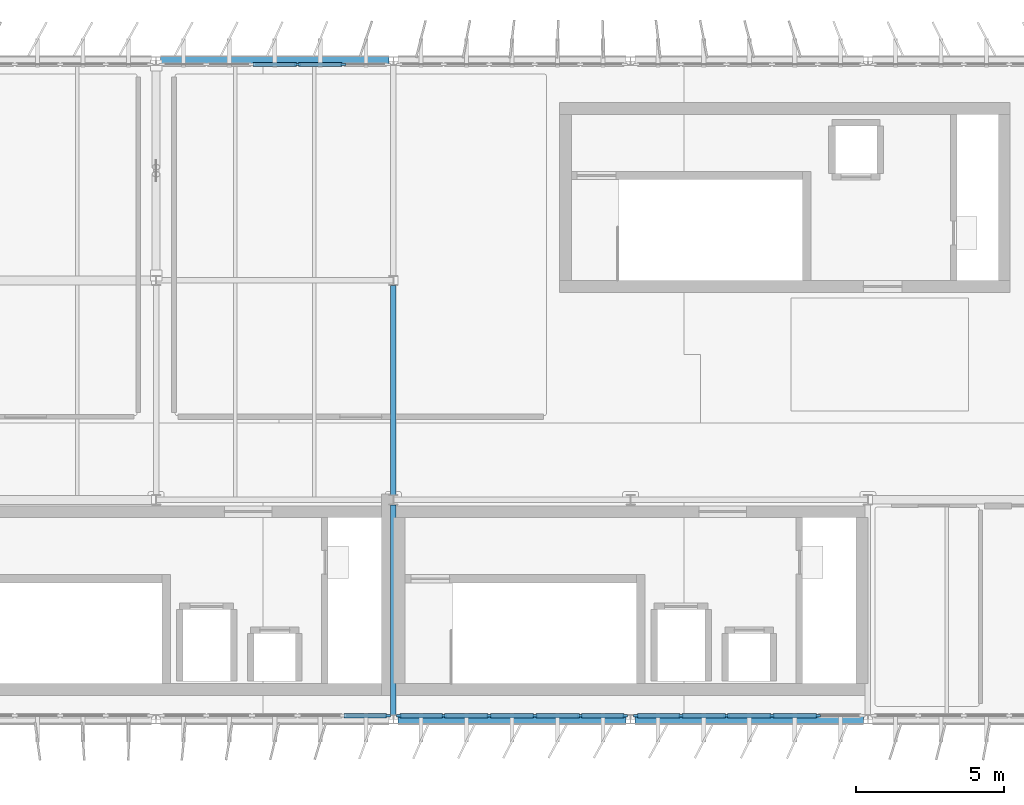
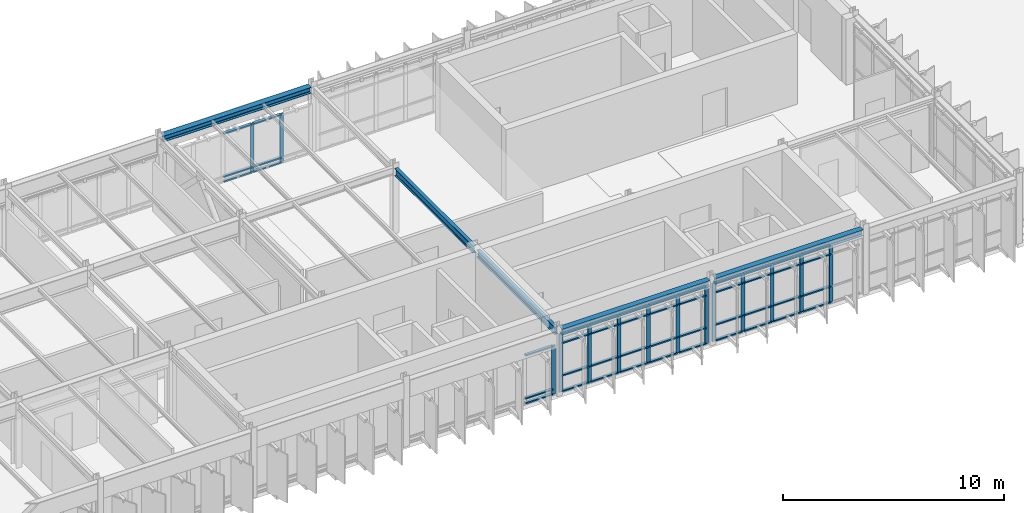
# One storey, part 7 of 20: 59 members, 5 beams, 4 elements without a shape of their own.
"""IFC4 building model written with IfcOpenShell, lengths in metres."""

from ifc_helpers import new_model, si_unit, direction, frame, origin, origin_2d, place, context, subcontext, project, spatial, rectangle, i_section, extrude, material, layer, layer_set, material_profile, profile_set, type_object, element, aggregate, save


model = new_model("IFC4")

# Units and contexts
model_context = context("Model", 3, precision=1e-05, world=origin(), true_north=direction((0.0, 1.0)))
body_context = subcontext(model_context, "Body", "Model", "MODEL_VIEW")
ifc_project = project(units=[si_unit("LENGTHUNIT", "METRE"), si_unit("AREAUNIT", "SQUARE_METRE"), si_unit("VOLUMEUNIT", "CUBIC_METRE"), si_unit("PLANEANGLEUNIT", "RADIAN"), si_unit("MASSUNIT", "GRAM", prefix="KILO")], contexts=[model_context])

# Site, building, storey
site_placement = place(None, origin())
site = spatial("IfcSite", under=ifc_project, at=site_placement, CompositionType="ELEMENT")
building_placement = place(site_placement, origin())
building = spatial("IfcBuilding", under=site, at=building_placement, Name="Valkorina Park Police Headquarters", CompositionType="ELEMENT")
storey_placement = place(building_placement, frame((0.0, 0.0, 31.10009765625)))
storey = spatial("IfcBuildingStorey", under=building, at=storey_placement, Name="L08", CompositionType="ELEMENT", Elevation=31.10009765625)

# Beams
ifc_material_1 = material(Name="Steel S355", Category="steel")
ifc_material_profile_1 = material_profile(ifc_material_1, i_section(OverallWidth=0.300048828125, OverallDepth=0.330078125, WebThickness=0.009521484375, FlangeThickness=0.0166015625, FilletRadius=0.027099609375, at=origin_2d()), Name="HEA 340")
ifc_profile_set_1 = profile_set([ifc_material_profile_1], Name="Steel S355")
beam_type_1 = type_object("IfcBeamType", Name="BM-S355-HEA340-SPN", PredefinedType="SPANDREL", material=ifc_profile_set_1)
for number, where, z_axis, x_axis, name in (
    (1, (32.949951171875, 37.0, 3.454833984375), (1.0, 0.0, 0.0), (0.0, 1.0, 0.0), "L08 Framing Beam 2797"),
    (2, (40.949951171875, 37.0, 3.454833984375), (1.0, 0.0, 0.0), (0.0, 1.0, 0.0), "L08 Framing Beam 2798"),
    (3, (24.949951171875, 59.199951171875, 3.454833984375), (1.0, 0.0, 0.0), (0.0, 1.0, 0.0), "L08 Framing Beam 2814"),
):
    element("IfcBeam", number, at=place(storey_placement, frame(where, z_axis=z_axis, x_axis=x_axis)), inside=storey, type_object=beam_type_1, Name=name, PredefinedType="SPANDREL", context=body_context, shape_type="SweptSolid", body=[
        extrude(i_section(OverallWidth=0.300048828125, OverallDepth=0.330078125, WebThickness=0.009521484375, FlangeThickness=0.0166015625, FilletRadius=0.027099609375, at=origin_2d()), origin(), (0.0, 0.0, 1.0), 7.699951171875),
    ])
ifc_material_profile_2 = material_profile(ifc_material_1, i_section(OverallWidth=0.179931640625, OverallDepth=0.39990234375, WebThickness=0.008544921875, FlangeThickness=0.013427734375, FilletRadius=0.02099609375, at=origin_2d()), Name="IPE 400")
ifc_profile_set_2 = profile_set([ifc_material_profile_2], Name="Steel S355")
beam_type_2 = type_object("IfcBeamType", Name="BM-S355-IPE400-BM", PredefinedType="BEAM", material=ifc_profile_set_2)
beam_1_placement = place(storey_placement, frame((32.800048828125, 37.14990234375, 3.419921875), z_axis=(0.0, 1.0, 0.0), x_axis=(-1.0, 0.0, 0.0)))
element("IfcBeam", 4, at=beam_1_placement, inside=storey, type_object=beam_type_2, Name="L08 Framing Beam 2849", PredefinedType="BEAM", context=body_context, shape_type="SweptSolid", body=[
    extrude(i_section(OverallWidth=0.179931640625, OverallDepth=0.39990234375, WebThickness=0.008544921875, FlangeThickness=0.013427734375, FilletRadius=0.02099609375, at=origin_2d()), origin(), (0.0, 0.0, 1.0), 7.085205078125),
])
beam_2_placement = place(storey_placement, frame((32.800048828125, 44.56494140625, 3.419921875), z_axis=(0.0, 1.0, 0.0), x_axis=(-1.0, 0.0, 0.0)))
element("IfcBeam", 5, at=beam_2_placement, inside=storey, type_object=beam_type_2, Name="L08 Framing Beam 2850", PredefinedType="BEAM", context=body_context, shape_type="SweptSolid", body=[
    extrude(i_section(OverallWidth=0.179931640625, OverallDepth=0.39990234375, WebThickness=0.008544921875, FlangeThickness=0.013427734375, FilletRadius=0.02099609375, at=origin_2d()), origin(), (0.0, 0.0, 1.0), 7.070068359375),
])

# Curtain wall, members
ifc_material_2 = material(Name="Thermally broken aluminium AW-6060", Category="aluminium")
ifc_layer_1 = layer(ifc_material_2, 0.18994140625)
ifc_layer_set_1 = layer_set([ifc_layer_1], Name="Thermally broken aluminium AW-6060")
curtain_wall_type_1 = type_object("IfcCurtainWallType", Name="CW-V5-7680x3210", PredefinedType="NOTDEFINED", material=ifc_layer_set_1)
curtain_wall_1_placement = place(storey_placement, origin())
curtain_wall_1 = element("IfcCurtainWall", 6, at=curtain_wall_1_placement, inside=storey, type_object=curtain_wall_type_1, Name="L08 Unitised Curtain Wall 157", PredefinedType="NOTDEFINED")
ifc_material_profile_3 = material_profile(ifc_material_2, rectangle(XDim=0.070068359375, YDim=0.18994140625, at=origin_2d()), Name="CWM-02 70x190")
ifc_profile_set_3 = profile_set([ifc_material_profile_3], Name="Thermally broken aluminium AW-6060")
member_type_1 = type_object("IfcMemberType", Name="CWM-70x190", PredefinedType="MULLION", material=ifc_profile_set_3)
member_1_placement = place(storey_placement, frame((47.10400390625, 37.1201171875, 0.0), z_axis=(0.0, 0.0, 1.0), x_axis=(0.0, -1.0, 0.0)))
member_1 = element("IfcMember", 7, at=member_1_placement, type_object=member_type_1, Name="CW-V5-768-321 mullion 2", PredefinedType="MULLION", context=body_context, shape_type="SweptSolid", body=[
    extrude(rectangle(XDim=0.070068359375, YDim=0.18994140625, at=origin_2d()), origin(), (0.0, 0.0, 1.0), 3.2099609375),
])
member_2_placement = place(storey_placement, frame((45.568115234375, 37.1201171875, 0.0), z_axis=(0.0, 0.0, 1.0), x_axis=(0.0, -1.0, 0.0)))
member_2 = element("IfcMember", 8, at=member_2_placement, type_object=member_type_1, Name="CW-V5-768-321 mullion 3", PredefinedType="MULLION", context=body_context, shape_type="SweptSolid", body=[
    extrude(rectangle(XDim=0.070068359375, YDim=0.18994140625, at=origin_2d()), origin(), (0.0, 0.0, 1.0), 3.2099609375),
])
member_3_placement = place(storey_placement, frame((44.031982421875, 37.1201171875, 0.0), z_axis=(0.0, 0.0, 1.0), x_axis=(0.0, -1.0, 0.0)))
member_3 = element("IfcMember", 9, at=member_3_placement, type_object=member_type_1, Name="CW-V5-768-321 mullion 4", PredefinedType="MULLION", context=body_context, shape_type="SweptSolid", body=[
    extrude(rectangle(XDim=0.070068359375, YDim=0.18994140625, at=origin_2d()), origin(), (0.0, 0.0, 1.0), 3.2099609375),
])
member_4_placement = place(storey_placement, frame((42.49609375, 37.1201171875, 0.0), z_axis=(0.0, 0.0, 1.0), x_axis=(0.0, -1.0, 0.0)))
member_4 = element("IfcMember", 10, at=member_4_placement, type_object=member_type_1, Name="CW-V5-768-321 mullion 5", PredefinedType="MULLION", context=body_context, shape_type="SweptSolid", body=[
    extrude(rectangle(XDim=0.070068359375, YDim=0.18994140625, at=origin_2d()), origin(), (0.0, 0.0, 1.0), 3.2099609375),
])
member_5_placement = place(storey_placement, frame((40.9951171875, 37.1201171875, 0.0), z_axis=(0.0, 0.0, 1.0), x_axis=(0.0, -1.0, 0.0)))
member_5 = element("IfcMember", 11, at=member_5_placement, type_object=member_type_1, Name="CW-V5-768-321 mullion 6", PredefinedType="MULLION", context=body_context, shape_type="SweptSolid", body=[
    extrude(rectangle(XDim=0.070068359375, YDim=0.18994140625, at=origin_2d()), origin(), (0.0, 0.0, 1.0), 3.2099609375),
])

curtain_wall_2_placement = place(storey_placement, origin())
curtain_wall_2 = element("IfcCurtainWall", 12, at=curtain_wall_2_placement, inside=storey, type_object=curtain_wall_type_1, Name="L08 Unitised Curtain Wall 158", PredefinedType="NOTDEFINED")
member_6_placement = place(storey_placement, frame((40.60498046875, 37.1201171875, 0.0), z_axis=(0.0, 0.0, 1.0), x_axis=(0.0, -1.0, 0.0)))
member_6 = element("IfcMember", 13, at=member_6_placement, type_object=member_type_1, Name="CW-V5-768-321 mullion 1", PredefinedType="MULLION", context=body_context, shape_type="SweptSolid", body=[
    extrude(rectangle(XDim=0.070068359375, YDim=0.18994140625, at=origin_2d()), origin(), (0.0, 0.0, 1.0), 3.2099609375),
])
member_7_placement = place(storey_placement, frame((39.10400390625, 37.1201171875, 0.0), z_axis=(0.0, 0.0, 1.0), x_axis=(0.0, -1.0, 0.0)))
member_7 = element("IfcMember", 14, at=member_7_placement, type_object=member_type_1, Name="CW-V5-768-321 mullion 2", PredefinedType="MULLION", context=body_context, shape_type="SweptSolid", body=[
    extrude(rectangle(XDim=0.070068359375, YDim=0.18994140625, at=origin_2d()), origin(), (0.0, 0.0, 1.0), 3.2099609375),
])
member_8_placement = place(storey_placement, frame((37.568115234375, 37.1201171875, 0.0), z_axis=(0.0, 0.0, 1.0), x_axis=(0.0, -1.0, 0.0)))
member_8 = element("IfcMember", 15, at=member_8_placement, type_object=member_type_1, Name="CW-V5-768-321 mullion 3", PredefinedType="MULLION", context=body_context, shape_type="SweptSolid", body=[
    extrude(rectangle(XDim=0.070068359375, YDim=0.18994140625, at=origin_2d()), origin(), (0.0, 0.0, 1.0), 3.2099609375),
])
member_9_placement = place(storey_placement, frame((36.031982421875, 37.1201171875, 0.0), z_axis=(0.0, 0.0, 1.0), x_axis=(0.0, -1.0, 0.0)))
member_9 = element("IfcMember", 16, at=member_9_placement, type_object=member_type_1, Name="CW-V5-768-321 mullion 4", PredefinedType="MULLION", context=body_context, shape_type="SweptSolid", body=[
    extrude(rectangle(XDim=0.070068359375, YDim=0.18994140625, at=origin_2d()), origin(), (0.0, 0.0, 1.0), 3.2099609375),
])
member_10_placement = place(storey_placement, frame((34.49609375, 37.1201171875, 0.0), z_axis=(0.0, 0.0, 1.0), x_axis=(0.0, -1.0, 0.0)))
member_10 = element("IfcMember", 17, at=member_10_placement, type_object=member_type_1, Name="CW-V5-768-321 mullion 5", PredefinedType="MULLION", context=body_context, shape_type="SweptSolid", body=[
    extrude(rectangle(XDim=0.070068359375, YDim=0.18994140625, at=origin_2d()), origin(), (0.0, 0.0, 1.0), 3.2099609375),
])
member_11_placement = place(storey_placement, frame((32.9951171875, 37.1201171875, 0.0), z_axis=(0.0, 0.0, 1.0), x_axis=(0.0, -1.0, 0.0)))
member_11 = element("IfcMember", 18, at=member_11_placement, type_object=member_type_1, Name="CW-V5-768-321 mullion 6", PredefinedType="MULLION", context=body_context, shape_type="SweptSolid", body=[
    extrude(rectangle(XDim=0.070068359375, YDim=0.18994140625, at=origin_2d()), origin(), (0.0, 0.0, 1.0), 3.2099609375),
])

# Curtain wall, member
ifc_layer_2 = layer(ifc_material_2, 0.18994140625)
ifc_layer_set_2 = layer_set([ifc_layer_2], Name="Thermally broken aluminium AW-6060")
curtain_wall_type_2 = type_object("IfcCurtainWallType", Name="CW-V5-7680x2710", PredefinedType="NOTDEFINED", material=ifc_layer_set_2)
curtain_wall_3_placement = place(storey_placement, origin())
curtain_wall_3 = element("IfcCurtainWall", 19, at=curtain_wall_3_placement, inside=storey, type_object=curtain_wall_type_2, Name="L08 Unitised Curtain Wall 159", PredefinedType="NOTDEFINED")
member_12_placement = place(storey_placement, frame((32.60498046875, 37.1201171875, 0.0), z_axis=(0.0, 0.0, 1.0), x_axis=(0.0, -1.0, 0.0)))
member_12 = element("IfcMember", 20, at=member_12_placement, type_object=member_type_1, Name="CW-V5-768-271 mullion 1", PredefinedType="MULLION", context=body_context, shape_type="SweptSolid", body=[
    extrude(rectangle(XDim=0.070068359375, YDim=0.18994140625, at=origin_2d()), origin(), (0.0, 0.0, 1.0), 2.7099609375),
])

# Curtain wall, members
curtain_wall_4_placement = place(storey_placement, origin())
curtain_wall_4 = element("IfcCurtainWall", 21, at=curtain_wall_4_placement, inside=storey, type_object=curtain_wall_type_2, Name="L08 Unitised Curtain Wall 169", PredefinedType="NOTDEFINED")
member_13_placement = place(storey_placement, frame((29.568115234375, 59.080078125, 0.0), z_axis=(0.0, 0.0, 1.0), x_axis=(0.0, 1.0, 0.0)))
member_13 = element("IfcMember", 22, at=member_13_placement, type_object=member_type_1, Name="CW-V5-768-271 mullion 4", PredefinedType="MULLION", context=body_context, shape_type="SweptSolid", body=[
    extrude(rectangle(XDim=0.070068359375, YDim=0.18994140625, at=origin_2d()), origin(), (0.0, 0.0, 1.0), 2.7099609375),
])
member_14_placement = place(storey_placement, frame((31.10400390625, 59.080078125, 0.0), z_axis=(0.0, 0.0, 1.0), x_axis=(0.0, 1.0, 0.0)))
member_14 = element("IfcMember", 23, at=member_14_placement, type_object=member_type_1, Name="CW-V5-768-271 mullion 5", PredefinedType="MULLION", context=body_context, shape_type="SweptSolid", body=[
    extrude(rectangle(XDim=0.070068359375, YDim=0.18994140625, at=origin_2d()), origin(), (0.0, 0.0, 1.0), 2.7099609375),
])

# Member
ifc_material_profile_4 = material_profile(ifc_material_2, rectangle(XDim=0.14990234375, YDim=0.070068359375, at=origin_2d()), Name="CWT-02 150x70")
ifc_profile_set_4 = profile_set([ifc_material_profile_4], Name="Thermally broken aluminium AW-6060")
member_type_2 = type_object("IfcMemberType", Name="CWT-150x70", PredefinedType="USERDEFINED", material=ifc_profile_set_4)
member_15_placement = place(storey_placement, frame((47.069091796875, 37.1201171875, 0.034912109375), z_axis=(-1.0, 0.0, 0.0), x_axis=(0.0, -1.0, 0.0)))
member_15 = element("IfcMember", 24, at=member_15_placement, type_object=member_type_2, Name="CW-V5-768-321 transom 2.1", ObjectType="TRANSOM", PredefinedType="USERDEFINED", context=body_context, shape_type="SweptSolid", body=[
    extrude(rectangle(XDim=0.14990234375, YDim=0.070068359375, at=origin_2d()), origin(), (0.0, 0.0, 1.0), 1.466064453125),
])

member_16_placement = place(storey_placement, frame((47.069091796875, 37.1201171875, 0.89990234375), z_axis=(-1.0, 0.0, 0.0), x_axis=(0.0, -1.0, 0.0)))
member_16 = element("IfcMember", 25, at=member_16_placement, type_object=member_type_2, Name="CW-V5-768-321 transom 2.2", ObjectType="TRANSOM", PredefinedType="USERDEFINED", context=body_context, shape_type="SweptSolid", body=[
    extrude(rectangle(XDim=0.14990234375, YDim=0.070068359375, at=origin_2d()), origin(), (0.0, 0.0, 1.0), 1.466064453125),
])

member_17_placement = place(storey_placement, frame((47.069091796875, 37.1201171875, 2.68994140625), z_axis=(-1.0, 0.0, 0.0), x_axis=(0.0, -1.0, 0.0)))
member_17 = element("IfcMember", 26, at=member_17_placement, type_object=member_type_2, Name="CW-V5-768-321 transom 2.3", ObjectType="TRANSOM", PredefinedType="USERDEFINED", context=body_context, shape_type="SweptSolid", body=[
    extrude(rectangle(XDim=0.14990234375, YDim=0.070068359375, at=origin_2d()), origin(), (0.0, 0.0, 1.0), 1.466064453125),
])

member_18_placement = place(storey_placement, frame((47.069091796875, 37.1201171875, 3.1748046875), z_axis=(-1.0, 0.0, 0.0), x_axis=(0.0, -1.0, 0.0)))
member_18 = element("IfcMember", 27, at=member_18_placement, type_object=member_type_2, Name="CW-V5-768-321 transom 2.4", ObjectType="TRANSOM", PredefinedType="USERDEFINED", context=body_context, shape_type="SweptSolid", body=[
    extrude(rectangle(XDim=0.14990234375, YDim=0.070068359375, at=origin_2d()), origin(), (0.0, 0.0, 1.0), 1.466064453125),
])

member_19_placement = place(storey_placement, frame((45.532958984375, 37.1201171875, 0.034912109375), z_axis=(-1.0, 0.0, 0.0), x_axis=(0.0, -1.0, 0.0)))
member_19 = element("IfcMember", 28, at=member_19_placement, type_object=member_type_2, Name="CW-V5-768-321 transom 3.1", ObjectType="TRANSOM", PredefinedType="USERDEFINED", context=body_context, shape_type="SweptSolid", body=[
    extrude(rectangle(XDim=0.14990234375, YDim=0.070068359375, at=origin_2d()), origin(), (0.0, 0.0, 1.0), 1.466064453125),
])

member_20_placement = place(storey_placement, frame((45.532958984375, 37.1201171875, 0.89990234375), z_axis=(-1.0, 0.0, 0.0), x_axis=(0.0, -1.0, 0.0)))
member_20 = element("IfcMember", 29, at=member_20_placement, type_object=member_type_2, Name="CW-V5-768-321 transom 3.2", ObjectType="TRANSOM", PredefinedType="USERDEFINED", context=body_context, shape_type="SweptSolid", body=[
    extrude(rectangle(XDim=0.14990234375, YDim=0.070068359375, at=origin_2d()), origin(), (0.0, 0.0, 1.0), 1.466064453125),
])

member_21_placement = place(storey_placement, frame((45.532958984375, 37.1201171875, 2.68994140625), z_axis=(-1.0, 0.0, 0.0), x_axis=(0.0, -1.0, 0.0)))
member_21 = element("IfcMember", 30, at=member_21_placement, type_object=member_type_2, Name="CW-V5-768-321 transom 3.3", ObjectType="TRANSOM", PredefinedType="USERDEFINED", context=body_context, shape_type="SweptSolid", body=[
    extrude(rectangle(XDim=0.14990234375, YDim=0.070068359375, at=origin_2d()), origin(), (0.0, 0.0, 1.0), 1.466064453125),
])

member_22_placement = place(storey_placement, frame((45.532958984375, 37.1201171875, 3.1748046875), z_axis=(-1.0, 0.0, 0.0), x_axis=(0.0, -1.0, 0.0)))
member_22 = element("IfcMember", 31, at=member_22_placement, type_object=member_type_2, Name="CW-V5-768-321 transom 3.4", ObjectType="TRANSOM", PredefinedType="USERDEFINED", context=body_context, shape_type="SweptSolid", body=[
    extrude(rectangle(XDim=0.14990234375, YDim=0.070068359375, at=origin_2d()), origin(), (0.0, 0.0, 1.0), 1.466064453125),
])

member_23_placement = place(storey_placement, frame((43.9970703125, 37.1201171875, 0.034912109375), z_axis=(-1.0, 0.0, 0.0), x_axis=(0.0, -1.0, 0.0)))
member_23 = element("IfcMember", 32, at=member_23_placement, type_object=member_type_2, Name="CW-V5-768-321 transom 4.1", ObjectType="TRANSOM", PredefinedType="USERDEFINED", context=body_context, shape_type="SweptSolid", body=[
    extrude(rectangle(XDim=0.14990234375, YDim=0.070068359375, at=origin_2d()), origin(), (0.0, 0.0, 1.0), 1.466064453125),
])

member_24_placement = place(storey_placement, frame((43.9970703125, 37.1201171875, 0.89990234375), z_axis=(-1.0, 0.0, 0.0), x_axis=(0.0, -1.0, 0.0)))
member_24 = element("IfcMember", 33, at=member_24_placement, type_object=member_type_2, Name="CW-V5-768-321 transom 4.2", ObjectType="TRANSOM", PredefinedType="USERDEFINED", context=body_context, shape_type="SweptSolid", body=[
    extrude(rectangle(XDim=0.14990234375, YDim=0.070068359375, at=origin_2d()), origin(), (0.0, 0.0, 1.0), 1.466064453125),
])

member_25_placement = place(storey_placement, frame((43.9970703125, 37.1201171875, 2.68994140625), z_axis=(-1.0, 0.0, 0.0), x_axis=(0.0, -1.0, 0.0)))
member_25 = element("IfcMember", 34, at=member_25_placement, type_object=member_type_2, Name="CW-V5-768-321 transom 4.3", ObjectType="TRANSOM", PredefinedType="USERDEFINED", context=body_context, shape_type="SweptSolid", body=[
    extrude(rectangle(XDim=0.14990234375, YDim=0.070068359375, at=origin_2d()), origin(), (0.0, 0.0, 1.0), 1.466064453125),
])

member_26_placement = place(storey_placement, frame((43.9970703125, 37.1201171875, 3.1748046875), z_axis=(-1.0, 0.0, 0.0), x_axis=(0.0, -1.0, 0.0)))
member_26 = element("IfcMember", 35, at=member_26_placement, type_object=member_type_2, Name="CW-V5-768-321 transom 4.4", ObjectType="TRANSOM", PredefinedType="USERDEFINED", context=body_context, shape_type="SweptSolid", body=[
    extrude(rectangle(XDim=0.14990234375, YDim=0.070068359375, at=origin_2d()), origin(), (0.0, 0.0, 1.0), 1.466064453125),
])

member_27_placement = place(storey_placement, frame((42.4609375, 37.1201171875, 0.034912109375), z_axis=(-1.0, 0.0, 0.0), x_axis=(0.0, -1.0, 0.0)))
member_27 = element("IfcMember", 36, at=member_27_placement, type_object=member_type_2, Name="CW-V5-768-321 transom 5.1", ObjectType="TRANSOM", PredefinedType="USERDEFINED", context=body_context, shape_type="SweptSolid", body=[
    extrude(rectangle(XDim=0.14990234375, YDim=0.070068359375, at=origin_2d()), origin(), (0.0, 0.0, 1.0), 1.430908203125),
])

member_28_placement = place(storey_placement, frame((42.4609375, 37.1201171875, 0.89990234375), z_axis=(-1.0, 0.0, 0.0), x_axis=(0.0, -1.0, 0.0)))
member_28 = element("IfcMember", 37, at=member_28_placement, type_object=member_type_2, Name="CW-V5-768-321 transom 5.2", ObjectType="TRANSOM", PredefinedType="USERDEFINED", context=body_context, shape_type="SweptSolid", body=[
    extrude(rectangle(XDim=0.14990234375, YDim=0.070068359375, at=origin_2d()), origin(), (0.0, 0.0, 1.0), 1.430908203125),
])

member_29_placement = place(storey_placement, frame((42.4609375, 37.1201171875, 2.68994140625), z_axis=(-1.0, 0.0, 0.0), x_axis=(0.0, -1.0, 0.0)))
member_29 = element("IfcMember", 38, at=member_29_placement, type_object=member_type_2, Name="CW-V5-768-321 transom 5.3", ObjectType="TRANSOM", PredefinedType="USERDEFINED", context=body_context, shape_type="SweptSolid", body=[
    extrude(rectangle(XDim=0.14990234375, YDim=0.070068359375, at=origin_2d()), origin(), (0.0, 0.0, 1.0), 1.430908203125),
])

member_30_placement = place(storey_placement, frame((42.4609375, 37.1201171875, 3.1748046875), z_axis=(-1.0, 0.0, 0.0), x_axis=(0.0, -1.0, 0.0)))
member_30 = element("IfcMember", 39, at=member_30_placement, type_object=member_type_2, Name="CW-V5-768-321 transom 5.4", ObjectType="TRANSOM", PredefinedType="USERDEFINED", context=body_context, shape_type="SweptSolid", body=[
    extrude(rectangle(XDim=0.14990234375, YDim=0.070068359375, at=origin_2d()), origin(), (0.0, 0.0, 1.0), 1.430908203125),
])

aggregate(curtain_wall_1, [member_1, member_2, member_3, member_4, member_5, member_15, member_16, member_17, member_18, member_19, member_20, member_21, member_22, member_23, member_24, member_25, member_26, member_27, member_28, member_29, member_30])

member_31_placement = place(storey_placement, frame((40.570068359375, 37.1201171875, 0.034912109375), z_axis=(-1.0, 0.0, 0.0), x_axis=(0.0, -1.0, 0.0)))
member_31 = element("IfcMember", 40, at=member_31_placement, type_object=member_type_2, Name="CW-V5-768-321 transom 1.1", ObjectType="TRANSOM", PredefinedType="USERDEFINED", context=body_context, shape_type="SweptSolid", body=[
    extrude(rectangle(XDim=0.14990234375, YDim=0.070068359375, at=origin_2d()), origin(), (0.0, 0.0, 1.0), 1.43115234375),
])

member_32_placement = place(storey_placement, frame((40.570068359375, 37.1201171875, 0.89990234375), z_axis=(-1.0, 0.0, 0.0), x_axis=(0.0, -1.0, 0.0)))
member_32 = element("IfcMember", 41, at=member_32_placement, type_object=member_type_2, Name="CW-V5-768-321 transom 1.2", ObjectType="TRANSOM", PredefinedType="USERDEFINED", context=body_context, shape_type="SweptSolid", body=[
    extrude(rectangle(XDim=0.14990234375, YDim=0.070068359375, at=origin_2d()), origin(), (0.0, 0.0, 1.0), 1.43115234375),
])

member_33_placement = place(storey_placement, frame((40.570068359375, 37.1201171875, 2.68994140625), z_axis=(-1.0, 0.0, 0.0), x_axis=(0.0, -1.0, 0.0)))
member_33 = element("IfcMember", 42, at=member_33_placement, type_object=member_type_2, Name="CW-V5-768-321 transom 1.3", ObjectType="TRANSOM", PredefinedType="USERDEFINED", context=body_context, shape_type="SweptSolid", body=[
    extrude(rectangle(XDim=0.14990234375, YDim=0.070068359375, at=origin_2d()), origin(), (0.0, 0.0, 1.0), 1.43115234375),
])

member_34_placement = place(storey_placement, frame((40.570068359375, 37.1201171875, 3.1748046875), z_axis=(-1.0, 0.0, 0.0), x_axis=(0.0, -1.0, 0.0)))
member_34 = element("IfcMember", 43, at=member_34_placement, type_object=member_type_2, Name="CW-V5-768-321 transom 1.4", ObjectType="TRANSOM", PredefinedType="USERDEFINED", context=body_context, shape_type="SweptSolid", body=[
    extrude(rectangle(XDim=0.14990234375, YDim=0.070068359375, at=origin_2d()), origin(), (0.0, 0.0, 1.0), 1.43115234375),
])

member_35_placement = place(storey_placement, frame((39.069091796875, 37.1201171875, 0.034912109375), z_axis=(-1.0, 0.0, 0.0), x_axis=(0.0, -1.0, 0.0)))
member_35 = element("IfcMember", 44, at=member_35_placement, type_object=member_type_2, Name="CW-V5-768-321 transom 2.1", ObjectType="TRANSOM", PredefinedType="USERDEFINED", context=body_context, shape_type="SweptSolid", body=[
    extrude(rectangle(XDim=0.14990234375, YDim=0.070068359375, at=origin_2d()), origin(), (0.0, 0.0, 1.0), 1.466064453125),
])

member_36_placement = place(storey_placement, frame((39.069091796875, 37.1201171875, 0.89990234375), z_axis=(-1.0, 0.0, 0.0), x_axis=(0.0, -1.0, 0.0)))
member_36 = element("IfcMember", 45, at=member_36_placement, type_object=member_type_2, Name="CW-V5-768-321 transom 2.2", ObjectType="TRANSOM", PredefinedType="USERDEFINED", context=body_context, shape_type="SweptSolid", body=[
    extrude(rectangle(XDim=0.14990234375, YDim=0.070068359375, at=origin_2d()), origin(), (0.0, 0.0, 1.0), 1.466064453125),
])

member_37_placement = place(storey_placement, frame((39.069091796875, 37.1201171875, 2.68994140625), z_axis=(-1.0, 0.0, 0.0), x_axis=(0.0, -1.0, 0.0)))
member_37 = element("IfcMember", 46, at=member_37_placement, type_object=member_type_2, Name="CW-V5-768-321 transom 2.3", ObjectType="TRANSOM", PredefinedType="USERDEFINED", context=body_context, shape_type="SweptSolid", body=[
    extrude(rectangle(XDim=0.14990234375, YDim=0.070068359375, at=origin_2d()), origin(), (0.0, 0.0, 1.0), 1.466064453125),
])

member_38_placement = place(storey_placement, frame((39.069091796875, 37.1201171875, 3.1748046875), z_axis=(-1.0, 0.0, 0.0), x_axis=(0.0, -1.0, 0.0)))
member_38 = element("IfcMember", 47, at=member_38_placement, type_object=member_type_2, Name="CW-V5-768-321 transom 2.4", ObjectType="TRANSOM", PredefinedType="USERDEFINED", context=body_context, shape_type="SweptSolid", body=[
    extrude(rectangle(XDim=0.14990234375, YDim=0.070068359375, at=origin_2d()), origin(), (0.0, 0.0, 1.0), 1.466064453125),
])

member_39_placement = place(storey_placement, frame((37.532958984375, 37.1201171875, 0.034912109375), z_axis=(-1.0, 0.0, 0.0), x_axis=(0.0, -1.0, 0.0)))
member_39 = element("IfcMember", 48, at=member_39_placement, type_object=member_type_2, Name="CW-V5-768-321 transom 3.1", ObjectType="TRANSOM", PredefinedType="USERDEFINED", context=body_context, shape_type="SweptSolid", body=[
    extrude(rectangle(XDim=0.14990234375, YDim=0.070068359375, at=origin_2d()), origin(), (0.0, 0.0, 1.0), 1.466064453125),
])

member_40_placement = place(storey_placement, frame((37.532958984375, 37.1201171875, 0.89990234375), z_axis=(-1.0, 0.0, 0.0), x_axis=(0.0, -1.0, 0.0)))
member_40 = element("IfcMember", 49, at=member_40_placement, type_object=member_type_2, Name="CW-V5-768-321 transom 3.2", ObjectType="TRANSOM", PredefinedType="USERDEFINED", context=body_context, shape_type="SweptSolid", body=[
    extrude(rectangle(XDim=0.14990234375, YDim=0.070068359375, at=origin_2d()), origin(), (0.0, 0.0, 1.0), 1.466064453125),
])

member_41_placement = place(storey_placement, frame((37.532958984375, 37.1201171875, 2.68994140625), z_axis=(-1.0, 0.0, 0.0), x_axis=(0.0, -1.0, 0.0)))
member_41 = element("IfcMember", 50, at=member_41_placement, type_object=member_type_2, Name="CW-V5-768-321 transom 3.3", ObjectType="TRANSOM", PredefinedType="USERDEFINED", context=body_context, shape_type="SweptSolid", body=[
    extrude(rectangle(XDim=0.14990234375, YDim=0.070068359375, at=origin_2d()), origin(), (0.0, 0.0, 1.0), 1.466064453125),
])

member_42_placement = place(storey_placement, frame((37.532958984375, 37.1201171875, 3.1748046875), z_axis=(-1.0, 0.0, 0.0), x_axis=(0.0, -1.0, 0.0)))
member_42 = element("IfcMember", 51, at=member_42_placement, type_object=member_type_2, Name="CW-V5-768-321 transom 3.4", ObjectType="TRANSOM", PredefinedType="USERDEFINED", context=body_context, shape_type="SweptSolid", body=[
    extrude(rectangle(XDim=0.14990234375, YDim=0.070068359375, at=origin_2d()), origin(), (0.0, 0.0, 1.0), 1.466064453125),
])

member_43_placement = place(storey_placement, frame((35.9970703125, 37.1201171875, 0.034912109375), z_axis=(-1.0, 0.0, 0.0), x_axis=(0.0, -1.0, 0.0)))
member_43 = element("IfcMember", 52, at=member_43_placement, type_object=member_type_2, Name="CW-V5-768-321 transom 4.1", ObjectType="TRANSOM", PredefinedType="USERDEFINED", context=body_context, shape_type="SweptSolid", body=[
    extrude(rectangle(XDim=0.14990234375, YDim=0.070068359375, at=origin_2d()), origin(), (0.0, 0.0, 1.0), 1.466064453125),
])

member_44_placement = place(storey_placement, frame((35.9970703125, 37.1201171875, 0.89990234375), z_axis=(-1.0, 0.0, 0.0), x_axis=(0.0, -1.0, 0.0)))
member_44 = element("IfcMember", 53, at=member_44_placement, type_object=member_type_2, Name="CW-V5-768-321 transom 4.2", ObjectType="TRANSOM", PredefinedType="USERDEFINED", context=body_context, shape_type="SweptSolid", body=[
    extrude(rectangle(XDim=0.14990234375, YDim=0.070068359375, at=origin_2d()), origin(), (0.0, 0.0, 1.0), 1.466064453125),
])

member_45_placement = place(storey_placement, frame((35.9970703125, 37.1201171875, 2.68994140625), z_axis=(-1.0, 0.0, 0.0), x_axis=(0.0, -1.0, 0.0)))
member_45 = element("IfcMember", 54, at=member_45_placement, type_object=member_type_2, Name="CW-V5-768-321 transom 4.3", ObjectType="TRANSOM", PredefinedType="USERDEFINED", context=body_context, shape_type="SweptSolid", body=[
    extrude(rectangle(XDim=0.14990234375, YDim=0.070068359375, at=origin_2d()), origin(), (0.0, 0.0, 1.0), 1.466064453125),
])

member_46_placement = place(storey_placement, frame((35.9970703125, 37.1201171875, 3.1748046875), z_axis=(-1.0, 0.0, 0.0), x_axis=(0.0, -1.0, 0.0)))
member_46 = element("IfcMember", 55, at=member_46_placement, type_object=member_type_2, Name="CW-V5-768-321 transom 4.4", ObjectType="TRANSOM", PredefinedType="USERDEFINED", context=body_context, shape_type="SweptSolid", body=[
    extrude(rectangle(XDim=0.14990234375, YDim=0.070068359375, at=origin_2d()), origin(), (0.0, 0.0, 1.0), 1.466064453125),
])

member_47_placement = place(storey_placement, frame((34.4609375, 37.1201171875, 0.034912109375), z_axis=(-1.0, 0.0, 0.0), x_axis=(0.0, -1.0, 0.0)))
member_47 = element("IfcMember", 56, at=member_47_placement, type_object=member_type_2, Name="CW-V5-768-321 transom 5.1", ObjectType="TRANSOM", PredefinedType="USERDEFINED", context=body_context, shape_type="SweptSolid", body=[
    extrude(rectangle(XDim=0.14990234375, YDim=0.070068359375, at=origin_2d()), origin(), (0.0, 0.0, 1.0), 1.430908203125),
])

member_48_placement = place(storey_placement, frame((34.4609375, 37.1201171875, 0.89990234375), z_axis=(-1.0, 0.0, 0.0), x_axis=(0.0, -1.0, 0.0)))
member_48 = element("IfcMember", 57, at=member_48_placement, type_object=member_type_2, Name="CW-V5-768-321 transom 5.2", ObjectType="TRANSOM", PredefinedType="USERDEFINED", context=body_context, shape_type="SweptSolid", body=[
    extrude(rectangle(XDim=0.14990234375, YDim=0.070068359375, at=origin_2d()), origin(), (0.0, 0.0, 1.0), 1.430908203125),
])

member_49_placement = place(storey_placement, frame((34.4609375, 37.1201171875, 2.68994140625), z_axis=(-1.0, 0.0, 0.0), x_axis=(0.0, -1.0, 0.0)))
member_49 = element("IfcMember", 58, at=member_49_placement, type_object=member_type_2, Name="CW-V5-768-321 transom 5.3", ObjectType="TRANSOM", PredefinedType="USERDEFINED", context=body_context, shape_type="SweptSolid", body=[
    extrude(rectangle(XDim=0.14990234375, YDim=0.070068359375, at=origin_2d()), origin(), (0.0, 0.0, 1.0), 1.430908203125),
])

member_50_placement = place(storey_placement, frame((34.4609375, 37.1201171875, 3.1748046875), z_axis=(-1.0, 0.0, 0.0), x_axis=(0.0, -1.0, 0.0)))
member_50 = element("IfcMember", 59, at=member_50_placement, type_object=member_type_2, Name="CW-V5-768-321 transom 5.4", ObjectType="TRANSOM", PredefinedType="USERDEFINED", context=body_context, shape_type="SweptSolid", body=[
    extrude(rectangle(XDim=0.14990234375, YDim=0.070068359375, at=origin_2d()), origin(), (0.0, 0.0, 1.0), 1.430908203125),
])

aggregate(curtain_wall_2, [member_6, member_7, member_8, member_9, member_10, member_11, member_31, member_32, member_33, member_34, member_35, member_36, member_37, member_38, member_39, member_40, member_41, member_42, member_43, member_44, member_45, member_46, member_47, member_48, member_49, member_50])

member_51_placement = place(storey_placement, frame((32.570068359375, 37.1201171875, 0.034912109375), z_axis=(-1.0, 0.0, 0.0), x_axis=(0.0, -1.0, 0.0)))
member_51 = element("IfcMember", 60, at=member_51_placement, type_object=member_type_2, Name="CW-V5-768-271 transom 1.1", ObjectType="TRANSOM", PredefinedType="USERDEFINED", context=body_context, shape_type="SweptSolid", body=[
    extrude(rectangle(XDim=0.14990234375, YDim=0.070068359375, at=origin_2d()), origin(), (0.0, 0.0, 1.0), 1.43115234375),
])

member_52_placement = place(storey_placement, frame((32.570068359375, 37.1201171875, 0.2998046875), z_axis=(-1.0, 0.0, 0.0), x_axis=(0.0, -1.0, 0.0)))
member_52 = element("IfcMember", 61, at=member_52_placement, type_object=member_type_2, Name="CW-V5-768-271 transom 1.2", ObjectType="TRANSOM", PredefinedType="USERDEFINED", context=body_context, shape_type="SweptSolid", body=[
    extrude(rectangle(XDim=0.14990234375, YDim=0.070068359375, at=origin_2d()), origin(), (0.0, 0.0, 1.0), 1.43115234375),
])

member_53_placement = place(storey_placement, frame((32.570068359375, 37.1201171875, 2.6748046875), z_axis=(-1.0, 0.0, 0.0), x_axis=(0.0, -1.0, 0.0)))
member_53 = element("IfcMember", 62, at=member_53_placement, type_object=member_type_2, Name="CW-V5-768-271 transom 1.3", ObjectType="TRANSOM", PredefinedType="USERDEFINED", context=body_context, shape_type="SweptSolid", body=[
    extrude(rectangle(XDim=0.14990234375, YDim=0.070068359375, at=origin_2d()), origin(), (0.0, 0.0, 1.0), 1.43115234375),
])

aggregate(curtain_wall_3, [member_12, member_51, member_52, member_53])

member_54_placement = place(storey_placement, frame((28.06689453125, 59.080078125, 0.034912109375), z_axis=(1.0, 0.0, 0.0), x_axis=(0.0, 1.0, 0.0)))
member_54 = element("IfcMember", 63, at=member_54_placement, type_object=member_type_2, Name="CW-V5-768-271 transom 3.1", ObjectType="TRANSOM", PredefinedType="USERDEFINED", context=body_context, shape_type="SweptSolid", body=[
    extrude(rectangle(XDim=0.14990234375, YDim=0.070068359375, at=origin_2d()), origin(), (0.0, 0.0, 1.0), 1.466064453125),
])

member_55_placement = place(storey_placement, frame((28.06689453125, 59.080078125, 0.2998046875), z_axis=(1.0, 0.0, 0.0), x_axis=(0.0, 1.0, 0.0)))
member_55 = element("IfcMember", 64, at=member_55_placement, type_object=member_type_2, Name="CW-V5-768-271 transom 3.2", ObjectType="TRANSOM", PredefinedType="USERDEFINED", context=body_context, shape_type="SweptSolid", body=[
    extrude(rectangle(XDim=0.14990234375, YDim=0.070068359375, at=origin_2d()), origin(), (0.0, 0.0, 1.0), 1.466064453125),
])

member_56_placement = place(storey_placement, frame((28.06689453125, 59.080078125, 2.6748046875), z_axis=(1.0, 0.0, 0.0), x_axis=(0.0, 1.0, 0.0)))
member_56 = element("IfcMember", 65, at=member_56_placement, type_object=member_type_2, Name="CW-V5-768-271 transom 3.3", ObjectType="TRANSOM", PredefinedType="USERDEFINED", context=body_context, shape_type="SweptSolid", body=[
    extrude(rectangle(XDim=0.14990234375, YDim=0.070068359375, at=origin_2d()), origin(), (0.0, 0.0, 1.0), 1.466064453125),
])

member_57_placement = place(storey_placement, frame((29.60302734375, 59.080078125, 0.034912109375), z_axis=(1.0, 0.0, 0.0), x_axis=(0.0, 1.0, 0.0)))
member_57 = element("IfcMember", 66, at=member_57_placement, type_object=member_type_2, Name="CW-V5-768-271 transom 4.1", ObjectType="TRANSOM", PredefinedType="USERDEFINED", context=body_context, shape_type="SweptSolid", body=[
    extrude(rectangle(XDim=0.14990234375, YDim=0.070068359375, at=origin_2d()), origin(), (0.0, 0.0, 1.0), 1.466064453125),
])

member_58_placement = place(storey_placement, frame((29.60302734375, 59.080078125, 0.2998046875), z_axis=(1.0, 0.0, 0.0), x_axis=(0.0, 1.0, 0.0)))
member_58 = element("IfcMember", 67, at=member_58_placement, type_object=member_type_2, Name="CW-V5-768-271 transom 4.2", ObjectType="TRANSOM", PredefinedType="USERDEFINED", context=body_context, shape_type="SweptSolid", body=[
    extrude(rectangle(XDim=0.14990234375, YDim=0.070068359375, at=origin_2d()), origin(), (0.0, 0.0, 1.0), 1.466064453125),
])

member_59_placement = place(storey_placement, frame((29.60302734375, 59.080078125, 2.6748046875), z_axis=(1.0, 0.0, 0.0), x_axis=(0.0, 1.0, 0.0)))
member_59 = element("IfcMember", 68, at=member_59_placement, type_object=member_type_2, Name="CW-V5-768-271 transom 4.3", ObjectType="TRANSOM", PredefinedType="USERDEFINED", context=body_context, shape_type="SweptSolid", body=[
    extrude(rectangle(XDim=0.14990234375, YDim=0.070068359375, at=origin_2d()), origin(), (0.0, 0.0, 1.0), 1.466064453125),
])

aggregate(curtain_wall_4, [member_13, member_14, member_54, member_55, member_56, member_57, member_58, member_59])

save(model, "model.ifc")
